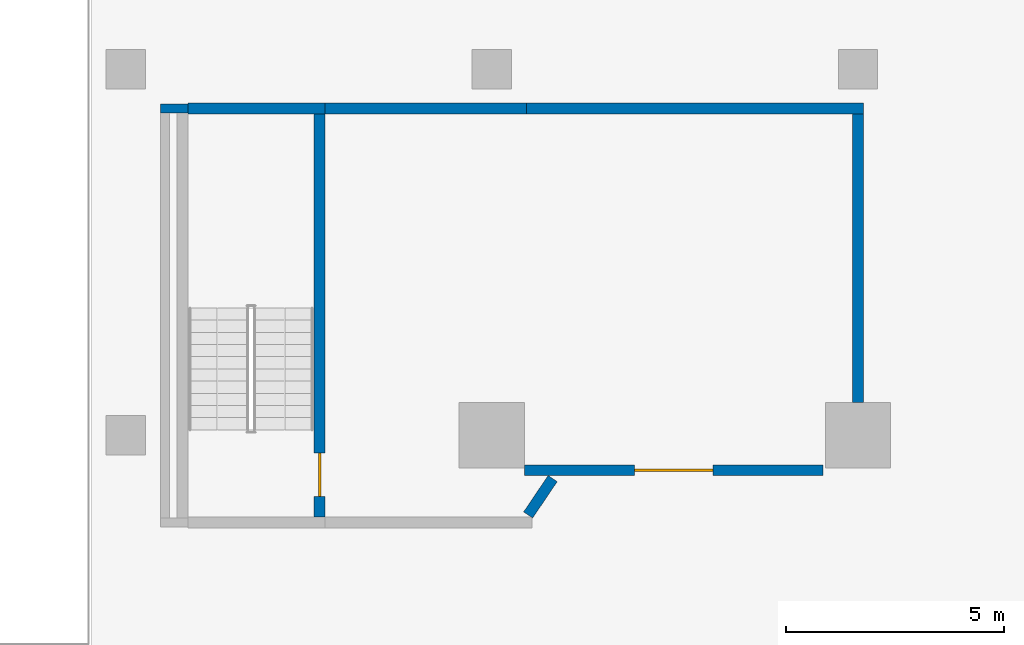
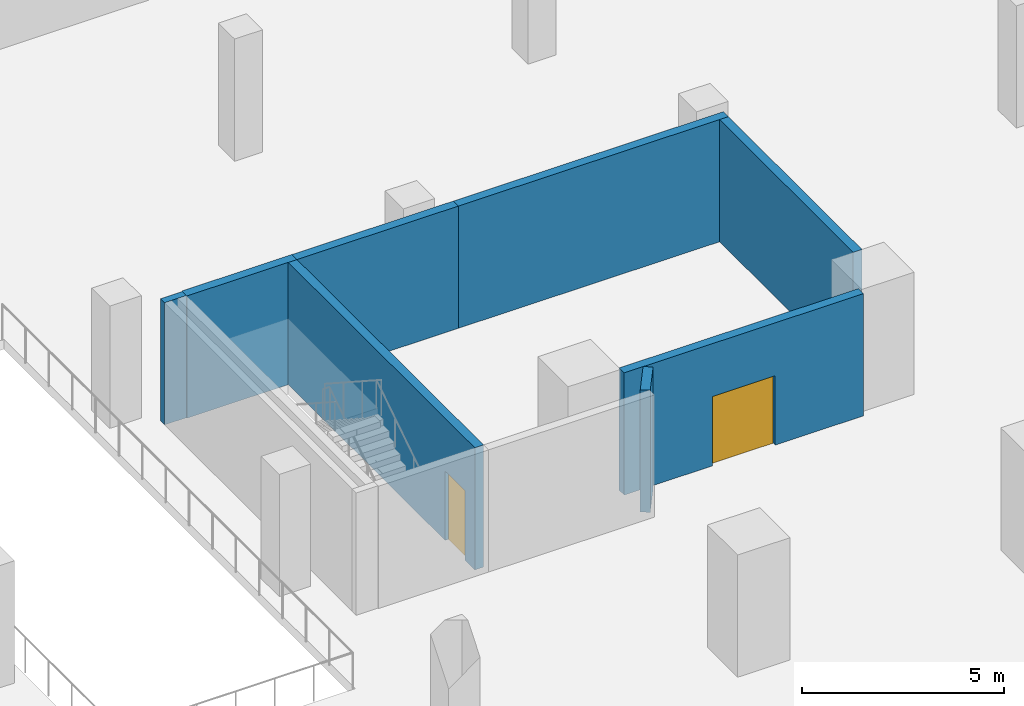
# One storey, part 8 of 18: 8 walls, 2 doors, 2 openings.
"""IFC4 building model written with IfcOpenShell, lengths in metres."""

from ifc_helpers import new_model, si_unit, direction, frame, frame_2d, origin, place, context, subcontext, project, spatial, rectangle, extrude, material, layer, layer_set, type_object, element, fill, save


model = new_model("IFC4")

# Units and contexts
model_context = context("Model", 3, precision=1e-05, world=origin(), true_north=direction((0.0, 1.0)))
body_context = subcontext(model_context, "Body", "Model", "MODEL_VIEW")
ifc_project = project(units=[si_unit("LENGTHUNIT", "METRE"), si_unit("AREAUNIT", "SQUARE_METRE"), si_unit("VOLUMEUNIT", "CUBIC_METRE"), si_unit("PLANEANGLEUNIT", "RADIAN"), si_unit("MASSUNIT", "GRAM", prefix="KILO")], contexts=[model_context])

# Site, building, storey
site_placement = place(None, origin())
site = spatial("IfcSite", under=ifc_project, at=site_placement, CompositionType="ELEMENT")
building_placement = place(site_placement, origin())
building = spatial("IfcBuilding", under=site, at=building_placement, Name="Cantera Rosa Tower", CompositionType="ELEMENT")
storey_placement = place(building_placement, frame((0.0, 0.0, -9.0)))
storey = spatial("IfcBuildingStorey", under=building, at=storey_placement, Name="B2", CompositionType="ELEMENT", Elevation=-9.0)

# Walls
ifc_material_1 = material(Name="Masonry blockwork", Category="masonry")
ifc_layer_1 = layer(ifc_material_1, 0.199951171875)
ifc_layer_set_1 = layer_set([ifc_layer_1], Name="Blockwork partition 200")
wall_type_1 = type_object("IfcWallType", Name="Blockwork partition 200", PredefinedType="PARTITIONING", material=ifc_layer_set_1)
wall_1_placement = place(storey_placement, frame((-32.800048828125, 28.5, 0.0), z_axis=(0.0, 0.0, 1.0), x_axis=(1.0, 0.0, 0.0)))
element("IfcWall", 1, at=wall_1_placement, inside=storey, type_object=wall_type_1, Name="Partition B2-18", PredefinedType="PARTITIONING", context=body_context, shape_type="SweptSolid", body=[
    extrude(rectangle(XDim=0.625, YDim=0.199951171875, at=frame_2d((0.3125, 0.0))), origin(), (0.0, 0.0, 1.0), 3.699951171875),
])
ifc_material_2 = material(Name="Concrete C50/60", Category="concrete")
ifc_layer_2 = layer(ifc_material_2, 0.25)
ifc_layer_set_2 = layer_set([ifc_layer_2], Name="External stair wall 250")
wall_type_2 = type_object("IfcWallType", Name="External stair wall 250", PredefinedType="SOLIDWALL", material=ifc_layer_set_2)
wall_2_placement = place(storey_placement, frame((-32.175048828125, 28.5, 0.0), z_axis=(0.0, 0.0, 1.0), x_axis=(1.0, 0.0, 0.0)))
element("IfcWall", 2, at=wall_2_placement, inside=storey, type_object=wall_type_2, Name="Stair wall B2-19", PredefinedType="SOLIDWALL", context=body_context, shape_type="SweptSolid", body=[
    extrude(rectangle(XDim=3.150146484375, YDim=0.25, at=frame_2d((1.5751953125, 0.0))), origin(), (0.0, 0.0, 1.0), 3.699951171875),
])
ifc_material_3 = material(Name="Masonry blockwork", Category="masonry")
ifc_layer_3 = layer(ifc_material_3, 0.25)
ifc_layer_set_3 = layer_set([ifc_layer_3], Name="Fire-rated external wall 250")
wall_type_3 = type_object("IfcWallType", Name="Fire-rated external wall 250", PredefinedType="PARTITIONING", material=ifc_layer_set_3)
wall_3_placement = place(storey_placement, frame((-29.02490234375, 28.5, 0.0), z_axis=(0.0, 0.0, 1.0), x_axis=(1.0, 0.0, 0.0)))
element("IfcWall", 3, at=wall_3_placement, inside=storey, type_object=wall_type_3, Name="Fire wall B2-20", PredefinedType="PARTITIONING", context=body_context, shape_type="SweptSolid", body=[
    extrude(rectangle(XDim=4.625, YDim=0.25, at=frame_2d((2.3125, 0.0))), origin(), (0.0, 0.0, 1.0), 3.699951171875),
])
wall_4_placement = place(storey_placement, frame((-24.39990234375, 28.5, 0.0), z_axis=(0.0, 0.0, 1.0), x_axis=(1.0, 0.0, 0.0)))
element("IfcWall", 4, at=wall_4_placement, inside=storey, type_object=wall_type_3, Name="Fire wall B2-21", PredefinedType="PARTITIONING", context=body_context, shape_type="SweptSolid", body=[
    extrude(rectangle(XDim=7.724853515625, YDim=0.25, at=frame_2d((3.8623046875, 0.0))), origin(), (0.0, 0.0, 1.0), 3.699951171875),
])
wall_5_placement = place(storey_placement, frame((-16.800048828125, 21.75, 0.0), z_axis=(0.0, 0.0, 1.0), x_axis=(0.0, 1.0, 0.0)))
element("IfcWall", 5, at=wall_5_placement, inside=storey, type_object=wall_type_3, Name="Fire wall B2-47", PredefinedType="PARTITIONING", context=body_context, shape_type="SweptSolid", body=[
    extrude(rectangle(XDim=6.625, YDim=0.25, at=frame_2d((3.3125, 0.0))), origin(), (0.0, 0.0, 1.0), 3.699951171875),
])

# Wall, opening, door
ifc_material_4 = material(Name="Masonry blockwork", Category="masonry")
ifc_layer_4 = layer(ifc_material_4, 0.25)
ifc_layer_set_4 = layer_set([ifc_layer_4], Name="Fire-rated wall 250")
wall_type_4 = type_object("IfcWallType", Name="Fire-rated wall 250", PredefinedType="PARTITIONING", material=ifc_layer_set_4)
wall_6_placement = place(storey_placement, frame((-24.449951171875, 20.199951171875, 0.0), z_axis=(0.0, 0.0, 1.0), x_axis=(1.0, 0.0, 0.0)))
wall_6 = element("IfcWall", 6, at=wall_6_placement, inside=storey, type_object=wall_type_4, Name="Fire wall B2-38", PredefinedType="PARTITIONING", context=body_context, shape_type="SweptSolid", body=[
    extrude(rectangle(XDim=6.849853515625, YDim=0.25, at=frame_2d((3.4248046875, 0.0))), origin(), (0.0, 0.0, 1.0), 3.699951171875),
])
opening_1_placement = place(wall_6_placement, frame((2.52490234375, 0.0, 0.0)))
opening_1 = element("IfcOpeningElement", 7, at=opening_1_placement, cuts=wall_6, Name="Opening B2-003", PredefinedType="OPENING", context=body_context, shape_type="SweptSolid", body=[
    extrude(rectangle(XDim=1.800048828125, YDim=2.10009765625, at=frame_2d((0.89990234375, 1.050048828125))), frame((0.0, 0.135009765625, 0.0), z_axis=(0.0, -1.0, 0.0), x_axis=(1.0, 0.0, 0.0)), (0.0, 0.0, 1.0), 0.27001953125),
])
ifc_material_5 = material(Name="Steel S355J2 (EN 10025-2)", Category="steel")
door_type_1 = type_object("IfcDoorType", Name="Fire double door 1800x2100", OperationType="NOTDEFINED", PredefinedType="DOOR", material=ifc_material_5)
door_1_placement = place(opening_1_placement, origin())
door_1 = element("IfcDoor", 8, at=door_1_placement, inside=storey, type_object=door_type_1, Name="Door B2-003", OperationType="DOUBLE_DOOR_SINGLE_SWING", OverallHeight=2.10009765625, OverallWidth=1.800048828125, PredefinedType="DOOR", context=body_context, shape_type="SweptSolid", body=[
    extrude(rectangle(XDim=1.800048828125, YDim=2.10009765625, at=frame_2d((0.89990234375, 1.050048828125))), frame((0.0, 0.02490234375, 0.0), z_axis=(0.0, -1.0, 0.0), x_axis=(1.0, 0.0, 0.0)), (0.0, 0.0, 1.0), 0.050048828125),
])
fill(opening_1, door_1)

# Wall
wall_7_placement = place(storey_placement, frame((-24.366455078125, 19.1748046875, 0.0), z_axis=(0.0, 0.0, 1.0), x_axis=(0.559172704165, 0.829051196801, 0.0)))
element("IfcWall", 9, at=wall_7_placement, inside=storey, type_object=wall_type_4, Name="Fire wall B2-49", PredefinedType="PARTITIONING", context=body_context, shape_type="SweptSolid", body=[
    extrude(rectangle(XDim=1.005859375, YDim=0.25, at=frame_2d((0.5029296875, 0.0))), origin(), (0.0, 0.0, 1.0), 3.699951171875),
])

# Wall, opening, door
ifc_material_6 = material(Name="Concrete C50/60", Category="concrete")
ifc_layer_5 = layer(ifc_material_6, 0.25)
ifc_layer_set_5 = layer_set([ifc_layer_5], Name="RC stair wall 250 C50/60")
wall_type_5 = type_object("IfcWallType", Name="RC stair wall 250", PredefinedType="SOLIDWALL", material=ifc_layer_set_5)
wall_8_placement = place(storey_placement, frame((-29.14990234375, 19.125, 0.0), z_axis=(0.0, 0.0, 1.0), x_axis=(0.0, 1.0, 0.0)))
wall_8 = element("IfcWall", 10, at=wall_8_placement, inside=storey, type_object=wall_type_5, Name="Stair wall B2-41", PredefinedType="SOLIDWALL", context=body_context, shape_type="SweptSolid", body=[
    extrude(rectangle(XDim=9.25, YDim=0.25, at=frame_2d((4.625, 0.0))), origin(), (0.0, 0.0, 1.0), 3.699951171875),
])
opening_2_placement = place(wall_8_placement, frame((0.47509765625, 0.0, 0.0)))
opening_2 = element("IfcOpeningElement", 11, at=opening_2_placement, cuts=wall_8, Name="Opening B2-004", PredefinedType="OPENING", context=body_context, shape_type="SweptSolid", body=[
    extrude(rectangle(XDim=1.0, YDim=2.10009765625, at=frame_2d((0.5, 1.050048828125))), frame((0.0, 0.135009765625, 0.0), z_axis=(0.0, -1.0, 0.0), x_axis=(1.0, 0.0, 0.0)), (0.0, 0.0, 1.0), 0.27001953125),
])
ifc_material_7 = material(Name="Steel S355J2 (EN 10025-2)", Category="steel")
door_type_2 = type_object("IfcDoorType", Name="Fire door 1000x2100 EI 120", OperationType="NOTDEFINED", PredefinedType="DOOR", material=ifc_material_7)
door_2_placement = place(opening_2_placement, origin())
door_2 = element("IfcDoor", 12, at=door_2_placement, inside=storey, type_object=door_type_2, Name="Door B2-004", OverallHeight=2.10009765625, OverallWidth=1.0, PredefinedType="DOOR", context=body_context, shape_type="SweptSolid", body=[
    extrude(rectangle(XDim=1.0, YDim=2.10009765625, at=frame_2d((0.5, 1.050048828125))), frame((0.0, 0.02490234375, 0.0), z_axis=(0.0, -1.0, 0.0), x_axis=(1.0, 0.0, 0.0)), (0.0, 0.0, 1.0), 0.050048828125),
])
fill(opening_2, door_2)

save(model, "model.ifc")
